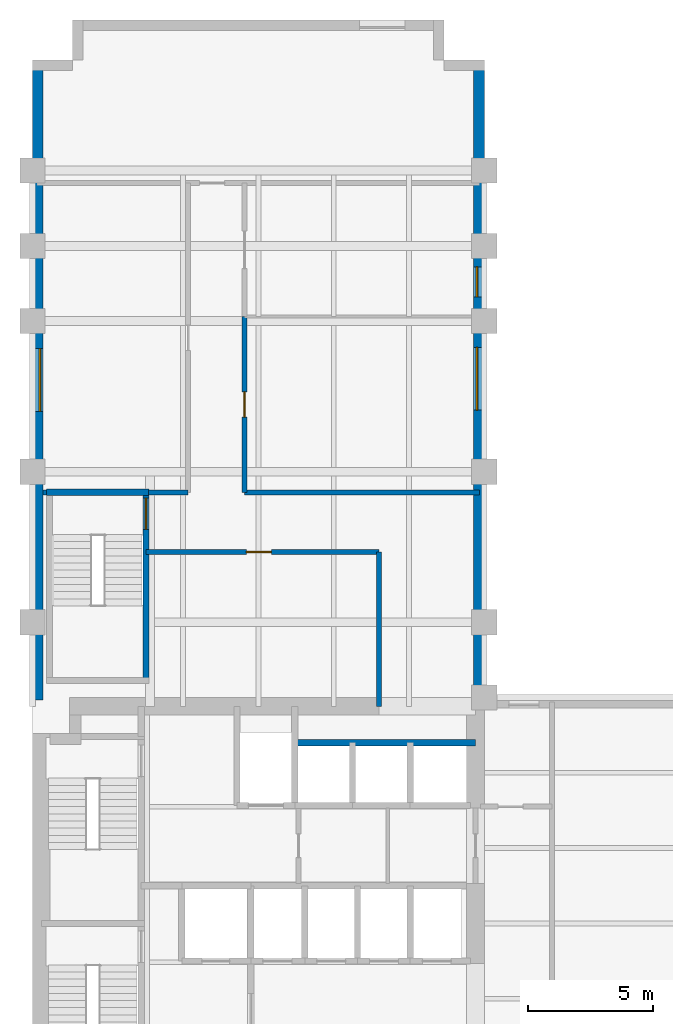
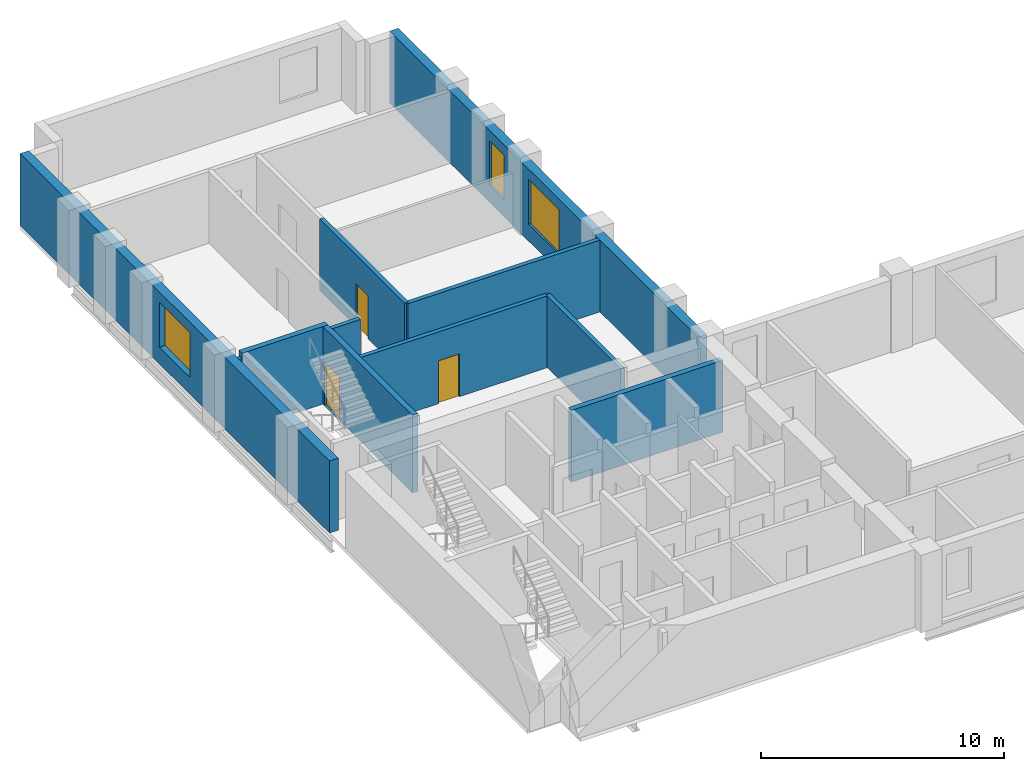
# One storey, part 4 of 7: 11 walls, 3 doors, 3 windows, 6 openings.
"""IFC4 building model written with IfcOpenShell, lengths in metres."""

from ifc_helpers import new_model, si_unit, direction, frame, frame_2d, origin, place, context, subcontext, project, spatial, rectangle, extrude, material, layer, layer_set, type_object, element, fill, save


model = new_model("IFC4")

# Units and contexts
model_context = context("Model", 3, precision=1e-05, world=origin(), true_north=direction((0.0, 1.0)))
body_context = subcontext(model_context, "Body", "Model", "MODEL_VIEW")
ifc_project = project(units=[si_unit("LENGTHUNIT", "METRE"), si_unit("AREAUNIT", "SQUARE_METRE"), si_unit("VOLUMEUNIT", "CUBIC_METRE"), si_unit("PLANEANGLEUNIT", "RADIAN"), si_unit("MASSUNIT", "GRAM", prefix="KILO")], contexts=[model_context])

# Site, building, storey
site_placement = place(None, origin())
site = spatial("IfcSite", under=ifc_project, at=site_placement, CompositionType="ELEMENT")
building_placement = place(site_placement, origin())
building = spatial("IfcBuilding", under=site, at=building_placement, Name="Mawjdan Bourse Tower", CompositionType="ELEMENT")
storey_placement = place(building_placement, frame((0.0, 0.0, 151.800048828125)))
storey = spatial("IfcBuildingStorey", under=building, at=storey_placement, Name="L36", CompositionType="ELEMENT", Elevation=151.800048828125)

# Wall, openings, windows
ifc_material_1 = material(Name="Brick Masonry Buff", Category="masonry")
ifc_layer_1 = layer(ifc_material_1, 0.419921875)
ifc_layer_set_1 = layer_set([ifc_layer_1], Name="Brick Masonry Buff")
wall_type_1 = type_object("IfcWallType", Name="WL-BRK-BUFF-420", PredefinedType="STANDARD", material=ifc_layer_set_1)
wall_1_placement = place(storey_placement, frame((23.7900390625, 21.0, 0.0), z_axis=(0.0, 0.0, 1.0), x_axis=(0.0, 1.0, 0.0)))
wall_1 = element("IfcWall", 1, at=wall_1_placement, inside=storey, type_object=wall_type_1, Name="L36 Exterior Brick Wall 8", PredefinedType="STANDARD", context=body_context, shape_type="SweptSolid", body=[
    extrude(rectangle(XDim=25.39990234375, YDim=0.419921875, at=frame_2d((12.699951171875, 0.0))), origin(), (0.0, 0.0, 1.0), 3.619873046875),
])
opening_1_placement = place(wall_1_placement, frame((11.449951171875, 0.0, 0.85009765625)))
opening_1 = element("IfcOpeningElement", 2, at=opening_1_placement, cuts=wall_1, Name="Opening W-L36-05", PredefinedType="OPENING", context=body_context, shape_type="SweptSolid", body=[
    extrude(rectangle(XDim=2.5, YDim=2.25, at=frame_2d((1.25, 1.125))), frame((0.0, 0.219970703125, 0.0), z_axis=(0.0, -1.0, 0.0), x_axis=(1.0, 0.0, 0.0)), (0.0, 0.0, 1.0), 0.43994140625),
])
opening_2_placement = place(wall_1_placement, frame((15.96630859375, 0.0, 0.85009765625)))
opening_2 = element("IfcOpeningElement", 3, at=opening_2_placement, cuts=wall_1, Name="Opening W-L36-11", PredefinedType="OPENING", context=body_context, shape_type="SweptSolid", body=[
    extrude(rectangle(XDim=1.199951171875, YDim=2.25, at=frame_2d((0.60009765625, 1.125))), frame((0.0, 0.219970703125, 0.0), z_axis=(0.0, -1.0, 0.0), x_axis=(1.0, 0.0, 0.0)), (0.0, 0.0, 1.0), 0.43994140625),
])
ifc_material_2 = material(Name="Solar-Control Clear Double Glazing", Category="glass")
window_type_1 = type_object("IfcWindowType", Name="WN-Z2-1200", PartitioningType="SINGLE_PANEL", PredefinedType="WINDOW", material=ifc_material_2)
window_1_placement = place(opening_2_placement, origin())
window_1 = element("IfcWindow", 4, at=window_1_placement, inside=storey, type_object=window_type_1, Name="L36 Deep-Set Masonry Window W-L36-11", OverallHeight=2.25, OverallWidth=1.199951171875, PartitioningType="SINGLE_PANEL", PredefinedType="WINDOW", context=body_context, shape_type="SweptSolid", body=[
    extrude(rectangle(XDim=1.199951171875, YDim=2.25, at=frame_2d((0.60009765625, 1.125))), frame((0.0, 0.110107421875, 0.0), z_axis=(0.0, -1.0, 0.0), x_axis=(1.0, 0.0, 0.0)), (0.0, 0.0, 1.0), 0.06005859375),
])
fill(opening_2, window_1)
window_type_2 = type_object("IfcWindowType", Name="WN-Z2-2500", PartitioningType="SINGLE_PANEL", PredefinedType="WINDOW", material=ifc_material_2)
window_2_placement = place(opening_1_placement, origin())
window_2 = element("IfcWindow", 5, at=window_2_placement, inside=storey, type_object=window_type_2, Name="L36 Deep-Set Masonry Window W-L36-05", OverallHeight=2.25, OverallWidth=2.5, PartitioningType="SINGLE_PANEL", PredefinedType="WINDOW", context=body_context, shape_type="SweptSolid", body=[
    extrude(rectangle(XDim=2.5, YDim=2.25, at=frame_2d((1.25, 1.125))), frame((0.0, 0.110107421875, 0.0), z_axis=(0.0, -1.0, 0.0), x_axis=(1.0, 0.0, 0.0)), (0.0, 0.0, 1.0), 0.06005859375),
])
fill(opening_1, window_2)

# Wall, opening, window
wall_2_placement = place(storey_placement, frame((6.2099609375, 46.39990234375, 0.0), z_axis=(0.0, 0.0, 1.0), x_axis=(0.0, -1.0, 0.0)))
wall_2 = element("IfcWall", 6, at=wall_2_placement, inside=storey, type_object=wall_type_1, Name="L36 Exterior Brick Wall 14", PredefinedType="STANDARD", context=body_context, shape_type="SweptSolid", body=[
    extrude(rectangle(XDim=25.5, YDim=0.419921875, at=frame_2d((12.75, 0.0))), origin(), (0.0, 0.0, 1.0), 3.619873046875),
])
opening_3_placement = place(wall_2_placement, frame((11.5, 0.0, 0.85009765625)))
opening_3 = element("IfcOpeningElement", 7, at=opening_3_placement, cuts=wall_2, Name="Opening W-L36-07", PredefinedType="OPENING", context=body_context, shape_type="SweptSolid", body=[
    extrude(rectangle(XDim=2.5, YDim=2.25, at=frame_2d((1.25, 1.125))), frame((0.0, 0.219970703125, 0.0), z_axis=(0.0, -1.0, 0.0), x_axis=(1.0, 0.0, 0.0)), (0.0, 0.0, 1.0), 0.43994140625),
])
window_3_placement = place(opening_3_placement, origin())
window_3 = element("IfcWindow", 8, at=window_3_placement, inside=storey, type_object=window_type_2, Name="L36 Deep-Set Masonry Window W-L36-07", OverallHeight=2.25, OverallWidth=2.5, PartitioningType="SINGLE_PANEL", PredefinedType="WINDOW", context=body_context, shape_type="SweptSolid", body=[
    extrude(rectangle(XDim=2.5, YDim=2.25, at=frame_2d((1.25, 1.125))), frame((0.0, 0.110107421875, 0.0), z_axis=(0.0, -1.0, 0.0), x_axis=(1.0, 0.0, 0.0)), (0.0, 0.0, 1.0), 0.06005859375),
])
fill(opening_3, window_3)

# Wall, opening, door
ifc_material_3 = material(Name="Gypsum Fireboard Assembly")
ifc_layer_2 = layer(ifc_material_3, 0.199951171875)
ifc_layer_set_2 = layer_set([ifc_layer_2], Name="Gypsum Fireboard Assembly")
wall_type_2 = type_object("IfcWallType", Name="WL-CMP-200", PredefinedType="PARTITIONING", material=ifc_layer_set_2)
wall_3_placement = place(storey_placement, frame((10.52001953125, 26.800048828125, 0.0), z_axis=(0.0, 0.0, 1.0), x_axis=(1.0, 0.0, 0.0)))
wall_3 = element("IfcWall", 9, at=wall_3_placement, inside=storey, type_object=wall_type_2, Name="L36 North Throat North Wall", PredefinedType="PARTITIONING", context=body_context, shape_type="SweptSolid", body=[
    extrude(rectangle(XDim=9.280029296875, YDim=0.199951171875, at=frame_2d((4.64013671875, 0.0))), origin(), (0.0, 0.0, 1.0), 3.60986328125),
])
opening_4_placement = place(wall_3_placement, frame((4.0, 0.0, 0.0)))
opening_4 = element("IfcOpeningElement", 10, at=opening_4_placement, cuts=wall_3, Name="Opening D-L36-26", PredefinedType="OPENING", context=body_context, shape_type="SweptSolid", body=[
    extrude(rectangle(XDim=1.0, YDim=2.14990234375, at=frame_2d((0.5, 1.074951171875))), frame((0.0, 0.10986328125, 0.0), z_axis=(0.0, -1.0, 0.0), x_axis=(1.0, 0.0, 0.0)), (0.0, 0.0, 1.0), 0.219970703125),
])
ifc_material_4 = material(Name="Hardwood Acoustic Leaf", Category="wood")
door_type_1 = type_object("IfcDoorType", Name="DR-OFC-1000", OperationType="NOTDEFINED", PredefinedType="DOOR", material=ifc_material_4)
door_1_placement = place(opening_4_placement, origin())
door_1 = element("IfcDoor", 11, at=door_1_placement, inside=storey, type_object=door_type_1, Name="L36 North Throat Suite Door D-L36-26", OperationType="SINGLE_SWING_RIGHT", OverallHeight=2.14990234375, OverallWidth=1.0, PredefinedType="DOOR", context=body_context, shape_type="SweptSolid", body=[
    extrude(rectangle(XDim=1.0, YDim=2.14990234375, at=frame_2d((0.5, 1.074951171875))), frame((0.0, 0.02490234375, 0.0), z_axis=(0.0, -1.0, 0.0), x_axis=(1.0, 0.0, 0.0)), (0.0, 0.0, 1.0), 0.050048828125),
])
fill(opening_4, door_1)

# Walls
wall_4_placement = place(storey_placement, frame((19.800048828125, 20.64990234375, 0.0), z_axis=(0.0, 0.0, 1.0), x_axis=(0.0, 1.0, 0.0)))
element("IfcWall", 12, at=wall_4_placement, inside=storey, type_object=wall_type_2, Name="L36 North Throat East Wall", PredefinedType="PARTITIONING", context=body_context, shape_type="SweptSolid", body=[
    extrude(rectangle(XDim=6.150146484375, YDim=0.199951171875, at=frame_2d((3.0751953125, 0.0))), origin(), (0.0, 0.0, 1.0), 3.60986328125),
])
wall_5_placement = place(storey_placement, frame((6.419921875, 29.179931640625, 0.0), z_axis=(0.0, 0.0, 1.0), x_axis=(1.0, 0.0, 0.0)))
element("IfcWall", 13, at=wall_5_placement, inside=storey, type_object=wall_type_2, Name="L36 North West Band ST3 West Return", PredefinedType="PARTITIONING", context=body_context, shape_type="SweptSolid", body=[
    extrude(rectangle(XDim=0.135009765625, YDim=0.199951171875, at=frame_2d((0.0673828125, 0.0))), origin(), (0.0, 0.0, 1.0), 3.60986328125),
])
wall_6_placement = place(storey_placement, frame((10.6298828125, 29.179931640625, 0.0), z_axis=(0.0, 0.0, 1.0), x_axis=(1.0, 0.0, 0.0)))
element("IfcWall", 14, at=wall_6_placement, inside=storey, type_object=wall_type_2, Name="L36 North West Band South Wall", PredefinedType="PARTITIONING", context=body_context, shape_type="SweptSolid", body=[
    extrude(rectangle(XDim=1.570068359375, YDim=0.199951171875, at=frame_2d((0.78515625, 0.0))), origin(), (0.0, 0.0, 1.0), 3.60986328125),
])
wall_7_placement = place(storey_placement, frame((14.449951171875, 29.179931640625, 0.0), z_axis=(0.0, 0.0, 1.0), x_axis=(1.0, 0.0, 0.0)))
element("IfcWall", 15, at=wall_7_placement, inside=storey, type_object=wall_type_2, Name="L36 North East Band South Wall", PredefinedType="PARTITIONING", context=body_context, shape_type="SweptSolid", body=[
    extrude(rectangle(XDim=9.3701171875, YDim=0.199951171875, at=frame_2d((4.68505859375, 0.0))), origin(), (0.0, 0.0, 1.0), 3.60986328125),
])

# Wall, opening, door
wall_8_placement = place(storey_placement, frame((14.449951171875, 29.179931640625, 0.0), z_axis=(0.0, 0.0, 1.0), x_axis=(0.0, 1.0, 0.0)))
wall_8 = element("IfcWall", 16, at=wall_8_placement, inside=storey, type_object=wall_type_2, Name="L36 Executive Office Corridor Wall", PredefinedType="PARTITIONING", context=body_context, shape_type="SweptSolid", body=[
    extrude(rectangle(XDim=7.0, YDim=0.199951171875, at=frame_2d((3.5, 0.0))), origin(), (0.0, 0.0, 1.0), 3.60986328125),
])
opening_5_placement = place(wall_8_placement, frame((3.0, 0.0, 0.0)))
opening_5 = element("IfcOpeningElement", 17, at=opening_5_placement, cuts=wall_8, Name="Opening D-L36-28", PredefinedType="OPENING", context=body_context, shape_type="SweptSolid", body=[
    extrude(rectangle(XDim=1.0, YDim=2.14990234375, at=frame_2d((0.5, 1.074951171875))), frame((0.0, 0.10986328125, 0.0), z_axis=(0.0, -1.0, 0.0), x_axis=(1.0, 0.0, 0.0)), (0.0, 0.0, 1.0), 0.219970703125),
])
door_2_placement = place(opening_5_placement, origin())
door_2 = element("IfcDoor", 18, at=door_2_placement, inside=storey, type_object=door_type_1, Name="L36 Executive Office Door D-L36-28", OperationType="SINGLE_SWING_RIGHT", OverallHeight=2.14990234375, OverallWidth=1.0, PredefinedType="DOOR", context=body_context, shape_type="SweptSolid", body=[
    extrude(rectangle(XDim=1.0, YDim=2.14990234375, at=frame_2d((0.5, 1.074951171875))), frame((0.0, 0.02490234375, 0.0), z_axis=(0.0, -1.0, 0.0), x_axis=(1.0, 0.0, 0.0)), (0.0, 0.0, 1.0), 0.050048828125),
])
fill(opening_5, door_2)

# Walls
ifc_material_5 = material(Name="Concrete C50/60", Category="concrete")
ifc_layer_3 = layer(ifc_material_5, 0.25)
ifc_layer_set_3 = layer_set([ifc_layer_3], Name="Concrete C50/60")
wall_type_3 = type_object("IfcWallType", Name="WL-SHFT-250", PredefinedType="PARTITIONING", material=ifc_layer_set_3)
wall_9_placement = place(storey_placement, frame((16.449951171875, 19.199951171875, 0.0), z_axis=(0.0, 0.0, 1.0), x_axis=(1.0, 0.0, 0.0)))
element("IfcWall", 19, at=wall_9_placement, inside=storey, type_object=wall_type_3, Name="L36 PH Bank North Shaft Back Wall", PredefinedType="PARTITIONING", context=body_context, shape_type="SweptSolid", body=[
    extrude(rectangle(XDim=7.199951171875, YDim=0.25, at=frame_2d((3.60009765625, 0.0))), origin(), (0.0, 0.0, 1.0), 3.60986328125),
])
ifc_layer_4 = layer(ifc_material_5, 0.25)
ifc_layer_set_4 = layer_set([ifc_layer_4], Name="Concrete C50/60")
wall_type_4 = type_object("IfcWallType", Name="WL-STRW-250", PredefinedType="SHEAR", material=ifc_layer_set_4)
wall_10_placement = place(storey_placement, frame((6.554931640625, 29.179931640625, 0.0), z_axis=(0.0, 0.0, 1.0), x_axis=(1.0, 0.0, 0.0)))
element("IfcWall", 20, at=wall_10_placement, inside=storey, type_object=wall_type_4, Name="L36 ST3 North Shaft Wall", PredefinedType="SHEAR", context=body_context, shape_type="SweptSolid", body=[
    extrude(rectangle(XDim=4.090087890625, YDim=0.25, at=frame_2d((2.044921875, 0.0))), origin(), (0.0, 0.0, 1.0), 3.89990234375),
])

# Wall, opening, door
wall_11_placement = place(storey_placement, frame((10.52001953125, 21.679931640625, 0.0), z_axis=(0.0, 0.0, 1.0), x_axis=(0.0, 1.0, 0.0)))
wall_11 = element("IfcWall", 21, at=wall_11_placement, inside=storey, type_object=wall_type_4, Name="L36 ST3 East Shaft Wall", PredefinedType="SHEAR", context=body_context, shape_type="SweptSolid", body=[
    extrude(rectangle(XDim=7.5, YDim=0.25, at=frame_2d((3.75, 0.0))), origin(), (0.0, 0.0, 1.0), 3.89990234375),
])
opening_6_placement = place(wall_11_placement, frame((6.02001953125, 0.0, 0.0)))
opening_6 = element("IfcOpeningElement", 22, at=opening_6_placement, cuts=wall_11, Name="Opening SD-L36-18", PredefinedType="OPENING", context=body_context, shape_type="SweptSolid", body=[
    extrude(rectangle(XDim=1.25, YDim=2.199951171875, at=frame_2d((0.625, 1.10009765625))), frame((0.0, 0.135009765625, 0.0), z_axis=(0.0, -1.0, 0.0), x_axis=(1.0, 0.0, 0.0)), (0.0, 0.0, 1.0), 0.27001953125),
])
ifc_material_6 = material(Name="Fire-Rated Steel Leaf", Category="steel")
door_type_2 = type_object("IfcDoorType", Name="FD-ST-1250", OperationType="NOTDEFINED", PredefinedType="DOOR", material=ifc_material_6)
door_3_placement = place(opening_6_placement, origin())
door_3 = element("IfcDoor", 23, at=door_3_placement, inside=storey, type_object=door_type_2, Name="L36 Stair ST3 Fire Door SD-L36-18", OperationType="SINGLE_SWING_LEFT", OverallHeight=2.199951171875, OverallWidth=1.25, PredefinedType="DOOR", context=body_context, shape_type="SweptSolid", body=[
    extrude(rectangle(XDim=1.25, YDim=2.199951171875, at=frame_2d((0.625, 1.10009765625))), frame((0.0, 0.02490234375, 0.0), z_axis=(0.0, -1.0, 0.0), x_axis=(1.0, 0.0, 0.0)), (0.0, 0.0, 1.0), 0.050048828125),
])
fill(opening_6, door_3)

save(model, "model.ifc")
